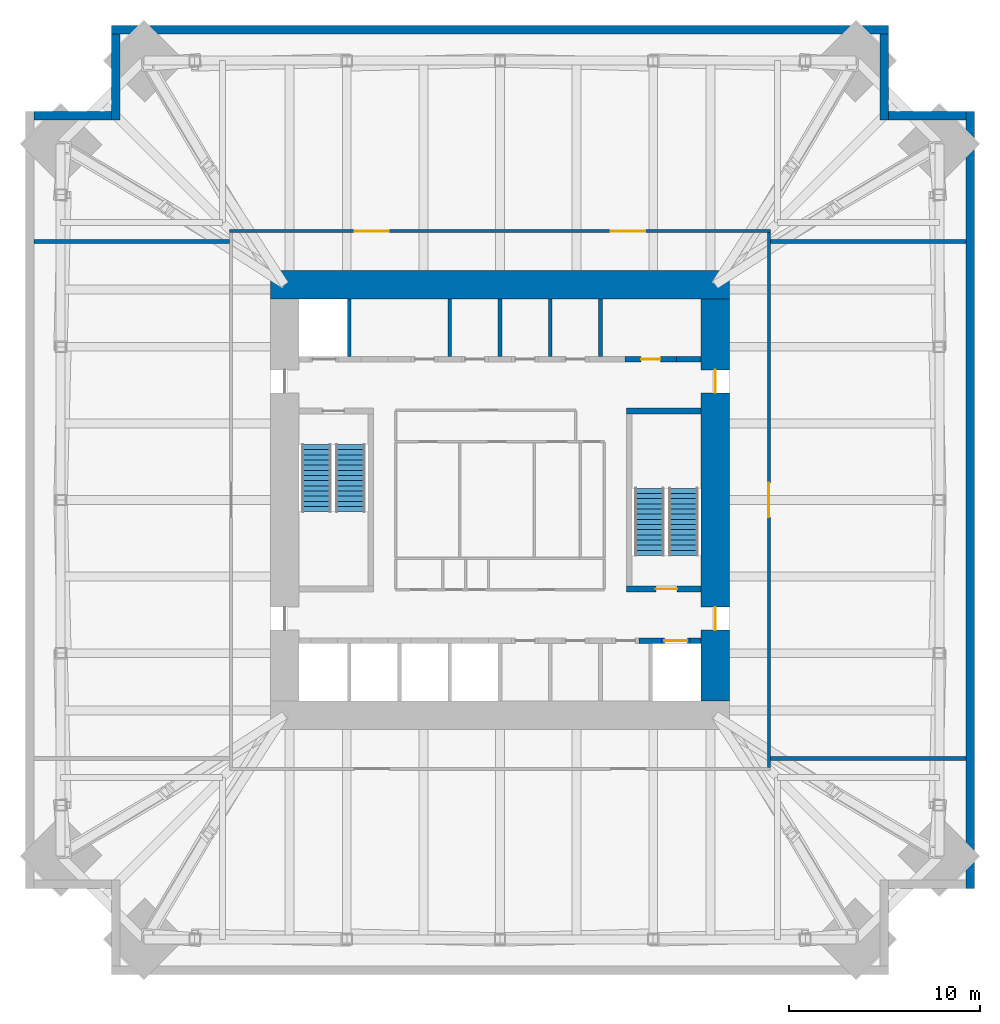
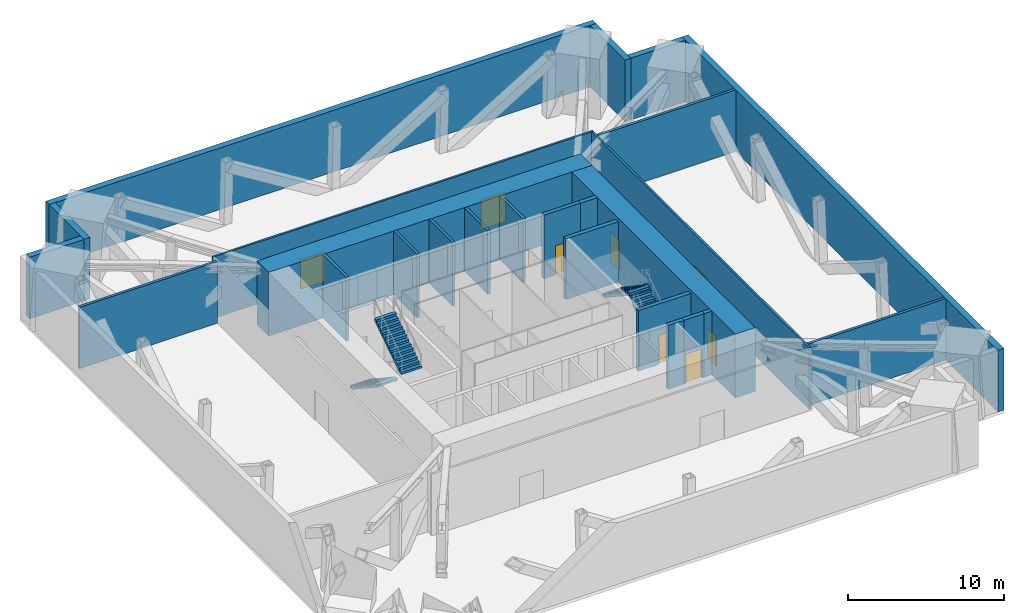
# One storey, part 5 of 6: 25 walls, 8 doors, 4 stair flights, 8 openings, 2 elements without a shape of their own.
"""IFC4 building model written with IfcOpenShell, lengths in metres."""

from ifc_helpers import new_model, si_unit, direction, frame, frame_2d, origin, place, context, subcontext, project, spatial, polyline, rectangle, outline, extrude, material, layer, layer_set, type_object, element, fill, aggregate, save


model = new_model("IFC4")

# Units and contexts
model_context = context("Model", 3, precision=1e-05, world=origin(), true_north=direction((0.0, 1.0)))
body_context = subcontext(model_context, "Body", "Model", "MODEL_VIEW")
ifc_project = project(units=[si_unit("LENGTHUNIT", "METRE"), si_unit("AREAUNIT", "SQUARE_METRE"), si_unit("VOLUMEUNIT", "CUBIC_METRE"), si_unit("PLANEANGLEUNIT", "RADIAN"), si_unit("MASSUNIT", "GRAM", prefix="KILO")], contexts=[model_context])

# Site, building, storey
site_placement = place(None, origin())
site = spatial("IfcSite", under=ifc_project, at=site_placement, CompositionType="ELEMENT")
building_placement = place(site_placement, origin())
building = spatial("IfcBuilding", under=site, at=building_placement, Name="Peilmerk Tower", CompositionType="ELEMENT")
storey_placement = place(building_placement, frame((0.0, 0.0, 196.800048828125)))
storey = spatial("IfcBuildingStorey", under=building, at=storey_placement, Name="L42", CompositionType="ELEMENT", Elevation=196.800048828125)

# Walls
ifc_material_1 = material(Name="Precast concrete C45/55, board-marked finish", Category="concrete")
ifc_layer_1 = layer(ifc_material_1, 0.449951171875)
ifc_layer_set_1 = layer_set([ifc_layer_1], Name="Precast concrete C45/55, board-marked finish")
wall_type_1 = type_object("IfcWallType", Name="EW1 450 precast concrete facade wall, board-marked", PredefinedType="SOLIDWALL", material=ifc_layer_set_1)
for number, where, z_axis, x_axis, name in (
    (1, (20.300048828125, 24.574951171875, 0.0), (0.0, 0.0, 1.0), (-1.0, 0.0, 0.0), "Facade wall N L42"),
    (2, (24.574951171875, -20.300048828125, 0.0), (0.0, 0.0, 1.0), (0.0, 1.0, 0.0), "Facade wall E L42"),
):
    element("IfcWall", number, at=place(storey_placement, frame(where, z_axis=z_axis, x_axis=x_axis)), inside=storey, type_object=wall_type_1, Name=name, PredefinedType="SOLIDWALL", context=body_context, shape_type="SweptSolid", body=[
        extrude(rectangle(XDim=40.60009765625, YDim=0.449951171875, at=frame_2d((20.300048828125, 0.0))), origin(), (0.0, 0.0, 1.0), 4.829833984375),
    ])
wall_1_placement = place(storey_placement, frame((20.074951171875, 19.85009765625, 0.0), z_axis=(0.0, 0.0, 1.0), x_axis=(0.0, 1.0, 0.0)))
element("IfcWall", 3, at=wall_1_placement, inside=storey, type_object=wall_type_1, Name="Facade wall NEA L42", PredefinedType="SOLIDWALL", context=body_context, shape_type="SweptSolid", body=[
    extrude(rectangle(XDim=4.5, YDim=0.449951171875, at=frame_2d((2.25, 0.0))), origin(), (0.0, 0.0, 1.0), 4.829833984375),
])
wall_2_placement = place(storey_placement, frame((20.300048828125, 20.074951171875, 0.0), z_axis=(0.0, 0.0, 1.0), x_axis=(1.0, 0.0, 0.0)))
element("IfcWall", 4, at=wall_2_placement, inside=storey, type_object=wall_type_1, Name="Facade wall NEB L42", PredefinedType="SOLIDWALL", context=body_context, shape_type="SweptSolid", body=[
    extrude(rectangle(XDim=4.050048828125, YDim=0.449951171875, at=frame_2d((2.02490234375, 0.0))), origin(), (0.0, 0.0, 1.0), 4.829833984375),
])
wall_3_placement = place(storey_placement, frame((-20.074951171875, 19.85009765625, 0.0), z_axis=(0.0, 0.0, 1.0), x_axis=(0.0, 1.0, 0.0)))
element("IfcWall", 5, at=wall_3_placement, inside=storey, type_object=wall_type_1, Name="Facade wall NWA L42", PredefinedType="SOLIDWALL", context=body_context, shape_type="SweptSolid", body=[
    extrude(rectangle(XDim=4.5, YDim=0.449951171875, at=frame_2d((2.25, 0.0))), origin(), (0.0, 0.0, 1.0), 4.829833984375),
])
wall_4_placement = place(storey_placement, frame((-20.300048828125, 20.074951171875, 0.0), z_axis=(0.0, 0.0, 1.0), x_axis=(-1.0, 0.0, 0.0)))
element("IfcWall", 6, at=wall_4_placement, inside=storey, type_object=wall_type_1, Name="Facade wall NWB L42", PredefinedType="SOLIDWALL", context=body_context, shape_type="SweptSolid", body=[
    extrude(rectangle(XDim=4.050048828125, YDim=0.449951171875, at=frame_2d((2.02490234375, 0.0))), origin(), (0.0, 0.0, 1.0), 4.829833984375),
])

# Wall, openings, doors
ifc_material_2 = material(Name="Calcium silicate block", Category="masonry")
ifc_layer_2 = layer(ifc_material_2, 0.14990234375)
ifc_layer_set_2 = layer_set([ifc_layer_2], Name="Calcium silicate block")
wall_type_2 = type_object("IfcWallType", Name="IW1 150 corridor partition, EI 60", PredefinedType="PARTITIONING", material=ifc_layer_set_2)
wall_5_placement = place(storey_placement, frame((-14.125, 14.050048828125, 0.0), z_axis=(0.0, 0.0, 1.0), x_axis=(1.0, 0.0, 0.0)))
wall_5 = element("IfcWall", 7, at=wall_5_placement, inside=storey, type_object=wall_type_2, Name="Corridor wall N L42", PredefinedType="PARTITIONING", context=body_context, shape_type="SweptSolid", body=[
    extrude(rectangle(XDim=28.25, YDim=0.14990234375, at=frame_2d((14.125, 0.0))), origin(), (0.0, 0.0, 1.0), 4.829833984375),
])
opening_1_placement = place(wall_5_placement, frame((6.52490234375, 0.0, 0.0)))
opening_1 = element("IfcOpeningElement", 8, at=opening_1_placement, cuts=wall_5, Name="Opening D2", PredefinedType="OPENING", context=body_context, shape_type="SweptSolid", body=[
    extrude(rectangle(XDim=1.800048828125, YDim=2.300048828125, at=frame_2d((0.89990234375, 1.14990234375))), frame((0.0, 0.0849609375, 0.0), z_axis=(0.0, -1.0, 0.0), x_axis=(1.0, 0.0, 0.0)), (0.0, 0.0, 1.0), 0.169921875),
])
opening_2_placement = place(wall_5_placement, frame((19.925048828125, 0.0, 0.0)))
opening_2 = element("IfcOpeningElement", 9, at=opening_2_placement, cuts=wall_5, Name="Opening D2", PredefinedType="OPENING", context=body_context, shape_type="SweptSolid", body=[
    extrude(rectangle(XDim=1.800048828125, YDim=2.300048828125, at=frame_2d((0.89990234375, 1.14990234375))), frame((0.0, 0.0849609375, 0.0), z_axis=(0.0, -1.0, 0.0), x_axis=(1.0, 0.0, 0.0)), (0.0, 0.0, 1.0), 0.169921875),
])
ifc_material_3 = material(Name="Steel door in steel frame", Category="steel")
door_type_1 = type_object("IfcDoorType", Name="D2 1800x2300 double door, EI2 60", OperationType="DOUBLE_DOOR_DOUBLE_SWING", PredefinedType="DOOR", material=ifc_material_3)
door_1_placement = place(opening_1_placement, origin())
door_1 = element("IfcDoor", 10, at=door_1_placement, inside=storey, type_object=door_type_1, Name="Door Plant room L42", OperationType="DOUBLE_DOOR_DOUBLE_SWING", OverallHeight=2.300048828125, OverallWidth=1.800048828125, PredefinedType="DOOR", context=body_context, shape_type="SweptSolid", body=[
    extrude(rectangle(XDim=1.800048828125, YDim=2.300048828125, at=frame_2d((0.89990234375, 1.14990234375))), frame((0.0, 0.02490234375, 0.0), z_axis=(0.0, -1.0, 0.0), x_axis=(1.0, 0.0, 0.0)), (0.0, 0.0, 1.0), 0.050048828125),
])
fill(opening_1, door_1)
door_2_placement = place(opening_2_placement, origin())
door_2 = element("IfcDoor", 11, at=door_2_placement, inside=storey, type_object=door_type_1, Name="Door Plant room L42", OperationType="DOUBLE_DOOR_DOUBLE_SWING", OverallHeight=2.300048828125, OverallWidth=1.800048828125, PredefinedType="DOOR", context=body_context, shape_type="SweptSolid", body=[
    extrude(rectangle(XDim=1.800048828125, YDim=2.300048828125, at=frame_2d((0.89990234375, 1.14990234375))), frame((0.0, 0.02490234375, 0.0), z_axis=(0.0, -1.0, 0.0), x_axis=(1.0, 0.0, 0.0)), (0.0, 0.0, 1.0), 0.050048828125),
])
fill(opening_2, door_2)

# Wall, opening, door
wall_6_placement = place(storey_placement, frame((14.050048828125, -13.97509765625, 0.0), z_axis=(0.0, 0.0, 1.0), x_axis=(0.0, 1.0, 0.0)))
wall_6 = element("IfcWall", 12, at=wall_6_placement, inside=storey, type_object=wall_type_2, Name="Corridor wall E L42", PredefinedType="PARTITIONING", context=body_context, shape_type="SweptSolid", body=[
    extrude(rectangle(XDim=27.9501953125, YDim=0.14990234375, at=frame_2d((13.97509765625, 0.0))), origin(), (0.0, 0.0, 1.0), 4.829833984375),
])
opening_3_placement = place(wall_6_placement, frame((13.074951171875, 0.0, 0.0)))
opening_3 = element("IfcOpeningElement", 13, at=opening_3_placement, cuts=wall_6, Name="Opening D2", PredefinedType="OPENING", context=body_context, shape_type="SweptSolid", body=[
    extrude(rectangle(XDim=1.800048828125, YDim=2.300048828125, at=frame_2d((0.89990234375, 1.14990234375))), frame((0.0, 0.0849609375, 0.0), z_axis=(0.0, -1.0, 0.0), x_axis=(1.0, 0.0, 0.0)), (0.0, 0.0, 1.0), 0.169921875),
])
door_3_placement = place(opening_3_placement, frame((1.800048828125, 0.0, 0.0), z_axis=(0.0, 0.0, 1.0), x_axis=(-1.0, 0.0, 0.0)))
door_3 = element("IfcDoor", 14, at=door_3_placement, inside=storey, type_object=door_type_1, Name="Door Plant room L42", OperationType="DOUBLE_DOOR_DOUBLE_SWING", OverallHeight=2.300048828125, OverallWidth=1.800048828125, PredefinedType="DOOR", context=body_context, shape_type="SweptSolid", body=[
    extrude(rectangle(XDim=1.800048828125, YDim=2.300048828125, at=frame_2d((0.89990234375, 1.14990234375))), frame((0.0, 0.02490234375, 0.0), z_axis=(0.0, -1.0, 0.0), x_axis=(1.0, 0.0, 0.0)), (0.0, 0.0, 1.0), 0.050048828125),
])
fill(opening_3, door_3)

# Walls
ifc_layer_3 = layer(ifc_material_2, 0.199951171875)
ifc_layer_set_3 = layer_set([ifc_layer_3], Name="Calcium silicate block")
wall_type_3 = type_object("IfcWallType", Name="IW2 200 room separating wall, EI 120", PredefinedType="PARTITIONING", material=ifc_layer_set_3)
for number, where, z_axis, x_axis, name in (
    (15, (14.125, 13.5, 0.0), (0.0, 0.0, 1.0), (1.0, 0.0, 0.0), "Room separating wall NE L42"),
    (16, (-24.35009765625, 13.5, 0.0), (0.0, 0.0, 1.0), (1.0, 0.0, 0.0), "Room separating wall NW L42"),
    (17, (24.35009765625, -13.5, 0.0), (0.0, 0.0, 1.0), (-1.0, 0.0, 0.0), "Room separating wall SE L42"),
):
    element("IfcWall", number, at=place(storey_placement, frame(where, z_axis=z_axis, x_axis=x_axis)), inside=storey, type_object=wall_type_3, Name=name, PredefinedType="PARTITIONING", context=body_context, shape_type="SweptSolid", body=[
        extrude(rectangle(XDim=10.22509765625, YDim=0.199951171875, at=frame_2d((5.112548828125, 0.0))), origin(), (0.0, 0.0, 1.0), 4.829833984375),
    ])
ifc_material_4 = material(Name="Concrete C35/45", Category="concrete")
ifc_layer_4 = layer(ifc_material_4, 0.300048828125)
ifc_layer_set_4 = layer_set([ifc_layer_4], Name="Concrete C35/45")
wall_type_4 = type_object("IfcWallType", Name="IW3 300 concrete stair enclosure wall, EI 120", PredefinedType="SOLIDWALL", material=ifc_layer_set_4)
wall_7_placement = place(storey_placement, frame((6.60009765625, 4.64990234375, 0.0), z_axis=(0.0, 0.0, 1.0), x_axis=(1.0, 0.0, 0.0)))
element("IfcWall", 18, at=wall_7_placement, inside=storey, type_object=wall_type_4, Name="Stair 2 enclosure L42", PredefinedType="SOLIDWALL", context=body_context, shape_type="SweptSolid", body=[
    extrude(rectangle(XDim=3.89990234375, YDim=0.300048828125, at=frame_2d((1.949951171875, 0.0))), origin(), (0.0, 0.0, 1.0), 4.75),
])

# Wall, opening, door
wall_8_placement = place(storey_placement, frame((10.5, -4.64990234375, 0.0), z_axis=(0.0, 0.0, 1.0), x_axis=(-1.0, 0.0, 0.0)))
wall_8 = element("IfcWall", 19, at=wall_8_placement, inside=storey, type_object=wall_type_4, Name="Stair 2 enclosure L42", PredefinedType="SOLIDWALL", context=body_context, shape_type="SweptSolid", body=[
    extrude(rectangle(XDim=3.89990234375, YDim=0.300048828125, at=frame_2d((1.949951171875, 0.0))), origin(), (0.0, 0.0, 1.0), 4.75),
])
opening_4_placement = place(wall_8_placement, frame((1.25, 0.0, 0.0)))
opening_4 = element("IfcOpeningElement", 20, at=opening_4_placement, cuts=wall_8, Name="Opening D4", PredefinedType="OPENING", context=body_context, shape_type="SweptSolid", body=[
    extrude(rectangle(XDim=1.10009765625, YDim=2.300048828125, at=frame_2d((0.550048828125, 1.14990234375))), frame((0.0, 0.159912109375, 0.0), z_axis=(0.0, -1.0, 0.0), x_axis=(1.0, 0.0, 0.0)), (0.0, 0.0, 1.0), 0.320068359375),
])
door_type_2 = type_object("IfcDoorType", Name="D4 1100x2300 stair door, EI2 60", OperationType="SINGLE_SWING_RIGHT", PredefinedType="DOOR", material=ifc_material_3)
door_4_placement = place(opening_4_placement, frame((1.10009765625, 0.0, 0.0), z_axis=(0.0, 0.0, 1.0), x_axis=(-1.0, 0.0, 0.0)))
door_4 = element("IfcDoor", 21, at=door_4_placement, inside=storey, type_object=door_type_2, Name="Stair 2 door L42", OperationType="SINGLE_SWING_RIGHT", OverallHeight=2.300048828125, OverallWidth=1.10009765625, PredefinedType="DOOR", context=body_context, shape_type="SweptSolid", body=[
    extrude(rectangle(XDim=1.10009765625, YDim=2.300048828125, at=frame_2d((0.550048828125, 1.14990234375))), frame((0.0, 0.02490234375, 0.0), z_axis=(0.0, -1.0, 0.0), x_axis=(1.0, 0.0, 0.0)), (0.0, 0.0, 1.0), 0.050048828125),
])
fill(opening_4, door_4)

# Walls
ifc_layer_5 = layer(ifc_material_2, 0.199951171875)
ifc_layer_set_5 = layer_set([ifc_layer_5], Name="Calcium silicate block")
wall_type_5 = type_object("IfcWallType", Name="SH1 200 shaft dividing wall, EI 120", PredefinedType="PARTITIONING", material=ifc_layer_set_5)
for number, where, z_axis, x_axis, name in (
    (22, (-7.875, 7.5, 0.0), (0.0, 0.0, 1.0), (0.0, 1.0, 0.0), "Shaft wall N FL1 L42"),
    (23, (-2.625, 7.5, 0.0), (0.0, 0.0, 1.0), (0.0, 1.0, 0.0), "Shaft wall N A2 L42"),
    (24, (0.0, 7.5, 0.0), (0.0, 0.0, 1.0), (0.0, 1.0, 0.0), "Shaft wall N A3 L42"),
    (25, (2.625, 7.5, 0.0), (0.0, 0.0, 1.0), (0.0, 1.0, 0.0), "Shaft wall N S1 L42"),
    (26, (5.25, 7.5, 0.0), (0.0, 0.0, 1.0), (0.0, 1.0, 0.0), "Shaft wall N S2 L42"),
):
    element("IfcWall", number, at=place(storey_placement, frame(where, z_axis=z_axis, x_axis=x_axis)), inside=storey, type_object=wall_type_5, Name=name, PredefinedType="PARTITIONING", context=body_context, shape_type="SweptSolid", body=[
        extrude(rectangle(XDim=3.0, YDim=0.199951171875, at=frame_2d((1.5, 0.0))), origin(), (0.0, 0.0, 1.0), 5.0),
    ])

# Wall, opening, door
ifc_layer_6 = layer(ifc_material_2, 0.300048828125)
ifc_layer_set_6 = layer_set([ifc_layer_6], Name="Calcium silicate block")
wall_type_6 = type_object("IfcWallType", Name="SH2 300 lift landing door panel, EI 120", PredefinedType="PARTITIONING", material=ifc_layer_set_6)
wall_9_placement = place(storey_placement, frame((6.52490234375, 7.35009765625, 0.0), z_axis=(0.0, 0.0, 1.0), x_axis=(1.0, 0.0, 0.0)))
wall_9 = element("IfcWall", 27, at=wall_9_placement, inside=storey, type_object=wall_type_6, Name="Lift door panel N GL1 L42", PredefinedType="PARTITIONING", context=body_context, shape_type="SweptSolid", body=[
    extrude(rectangle(XDim=2.7001953125, YDim=0.300048828125, at=frame_2d((1.35009765625, 0.0))), origin(), (0.0, 0.0, 1.0), 5.0),
])
opening_5_placement = place(wall_9_placement, frame((0.85009765625, 0.0, 0.0)))
opening_5 = element("IfcOpeningElement", 28, at=opening_5_placement, cuts=wall_9, Name="Opening D10", PredefinedType="OPENING", context=body_context, shape_type="SweptSolid", body=[
    extrude(rectangle(XDim=1.0, YDim=2.300048828125, at=frame_2d((0.5, 1.14990234375))), frame((0.0, 0.159912109375, 0.0), z_axis=(0.0, -1.0, 0.0), x_axis=(1.0, 0.0, 0.0)), (0.0, 0.0, 1.0), 0.320068359375),
])
door_type_3 = type_object("IfcDoorType", Name="D10 1000x2300 core room door, EI2 60", OperationType="SINGLE_SWING_RIGHT", PredefinedType="DOOR", material=ifc_material_3)
door_5_placement = place(opening_5_placement, origin())
door_5 = element("IfcDoor", 29, at=door_5_placement, inside=storey, type_object=door_type_3, Name="Door Pressurisation plant room L42", OperationType="SINGLE_SWING_RIGHT", OverallHeight=2.300048828125, OverallWidth=1.0, PredefinedType="DOOR", context=body_context, shape_type="SweptSolid", body=[
    extrude(rectangle(XDim=1.0, YDim=2.300048828125, at=frame_2d((0.5, 1.14990234375))), frame((0.0, 0.02490234375, 0.0), z_axis=(0.0, -1.0, 0.0), x_axis=(1.0, 0.0, 0.0)), (0.0, 0.0, 1.0), 0.050048828125),
])
fill(opening_5, door_5)

wall_10_placement = place(storey_placement, frame((8.4375, -7.35009765625, 0.0), z_axis=(0.0, 0.0, 1.0), x_axis=(1.0, 0.0, 0.0)))
wall_10 = element("IfcWall", 30, at=wall_10_placement, inside=storey, type_object=wall_type_6, Name="Lift door panel S FL2 L42", PredefinedType="PARTITIONING", context=body_context, shape_type="SweptSolid", body=[
    extrude(rectangle(XDim=1.5, YDim=0.300048828125, at=frame_2d((0.75, 0.0))), origin(), (0.0, 0.0, 1.0), 5.0),
])
opening_6_placement = place(wall_10_placement, frame((0.14990234375, 0.0, 0.0)))
opening_6 = element("IfcOpeningElement", 31, at=opening_6_placement, cuts=wall_10, Name="Opening LD2", PredefinedType="OPENING", context=body_context, shape_type="SweptSolid", body=[
    extrude(rectangle(XDim=1.199951171875, YDim=2.300048828125, at=frame_2d((0.60009765625, 1.14990234375))), frame((0.0, 0.159912109375, 0.0), z_axis=(0.0, -1.0, 0.0), x_axis=(1.0, 0.0, 0.0)), (0.0, 0.0, 1.0), 0.320068359375),
])
ifc_material_5 = material(Name="Stainless steel landing door", Category="steel")
door_type_4 = type_object("IfcDoorType", Name="LD2 1200x2300 lift landing door, sliding, EI2 60", OperationType="SLIDING_TO_LEFT", PredefinedType="DOOR", material=ifc_material_5)
door_6_placement = place(opening_6_placement, origin())
door_6 = element("IfcDoor", 32, at=door_6_placement, inside=storey, type_object=door_type_4, Name="Lift landing door FL2 L42", OperationType="SLIDING_TO_LEFT", OverallHeight=2.300048828125, OverallWidth=1.199951171875, PredefinedType="DOOR", context=body_context, shape_type="SweptSolid", body=[
    extrude(rectangle(XDim=1.199951171875, YDim=2.300048828125, at=frame_2d((0.60009765625, 1.14990234375))), frame((0.0, 0.02490234375, 0.0), z_axis=(0.0, -1.0, 0.0), x_axis=(1.0, 0.0, 0.0)), (0.0, 0.0, 1.0), 0.050048828125),
])
fill(opening_6, door_6)

# Wall
ifc_material_6 = material(Name="Concrete C55/67", Category="concrete")
ifc_layer_7 = layer(ifc_material_6, 1.5)
ifc_layer_set_7 = layer_set([ifc_layer_7], Name="Concrete C55/67")
wall_type_7 = type_object("IfcWallType", Name="SW1 1500 core wall", PredefinedType="SHEAR", material=ifc_layer_set_7)
wall_11_placement = place(storey_placement, frame((-12.0, 11.25, 0.0), z_axis=(0.0, 0.0, 1.0), x_axis=(1.0, 0.0, 0.0)))
element("IfcWall", 33, at=wall_11_placement, inside=storey, type_object=wall_type_7, Name="Core wall N L42", PredefinedType="SHEAR", context=body_context, shape_type="SweptSolid", body=[
    extrude(rectangle(XDim=24.0, YDim=1.5, at=frame_2d((12.0, 0.0))), origin(), (0.0, 0.0, 1.0), 5.0),
])

# Wall, openings, doors
wall_12_placement = place(storey_placement, frame((11.25, 10.5, 0.0), z_axis=(0.0, 0.0, 1.0), x_axis=(0.0, -1.0, 0.0)))
wall_12 = element("IfcWall", 34, at=wall_12_placement, inside=storey, type_object=wall_type_7, Name="Core wall E L42", PredefinedType="SHEAR", context=body_context, shape_type="SweptSolid", body=[
    extrude(rectangle(XDim=21.0, YDim=1.5, at=frame_2d((10.5, 0.0))), origin(), (0.0, 0.0, 1.0), 5.0),
])
opening_7_placement = place(wall_12_placement, frame((3.699951171875, 0.0, 0.0)))
opening_7 = element("IfcOpeningElement", 35, at=opening_7_placement, cuts=wall_12, Name="Opening D3", PredefinedType="OPENING", context=body_context, shape_type="SweptSolid", body=[
    extrude(rectangle(XDim=1.199951171875, YDim=2.300048828125, at=frame_2d((0.60009765625, 1.14990234375))), frame((0.0, 0.760009765625, 0.0), z_axis=(0.0, -1.0, 0.0), x_axis=(1.0, 0.0, 0.0)), (0.0, 0.0, 1.0), 1.52001953125),
])
opening_8_placement = place(wall_12_placement, frame((16.10009765625, 0.0, 0.0)))
opening_8 = element("IfcOpeningElement", 36, at=opening_8_placement, cuts=wall_12, Name="Opening D3", PredefinedType="OPENING", context=body_context, shape_type="SweptSolid", body=[
    extrude(rectangle(XDim=1.199951171875, YDim=2.300048828125, at=frame_2d((0.60009765625, 1.14990234375))), frame((0.0, 0.760009765625, 0.0), z_axis=(0.0, -1.0, 0.0), x_axis=(1.0, 0.0, 0.0)), (0.0, 0.0, 1.0), 1.52001953125),
])
door_type_5 = type_object("IfcDoorType", Name="D3 1200x2300 core door, EI2 60", OperationType="SINGLE_SWING_LEFT", PredefinedType="DOOR", material=ifc_material_3)
door_7_placement = place(opening_7_placement, frame((1.199951171875, 0.0, 0.0), z_axis=(0.0, 0.0, 1.0), x_axis=(-1.0, 0.0, 0.0)))
door_7 = element("IfcDoor", 37, at=door_7_placement, inside=storey, type_object=door_type_5, Name="Core door L42", OperationType="SINGLE_SWING_LEFT", OverallHeight=2.300048828125, OverallWidth=1.199951171875, PredefinedType="DOOR", context=body_context, shape_type="SweptSolid", body=[
    extrude(rectangle(XDim=1.199951171875, YDim=2.300048828125, at=frame_2d((0.60009765625, 1.14990234375))), frame((0.0, 0.02490234375, 0.0), z_axis=(0.0, -1.0, 0.0), x_axis=(1.0, 0.0, 0.0)), (0.0, 0.0, 1.0), 0.050048828125),
])
fill(opening_7, door_7)
door_8_placement = place(opening_8_placement, frame((1.199951171875, 0.0, 0.0), z_axis=(0.0, 0.0, 1.0), x_axis=(-1.0, 0.0, 0.0)))
door_8 = element("IfcDoor", 38, at=door_8_placement, inside=storey, type_object=door_type_5, Name="Core door L42", OperationType="SINGLE_SWING_LEFT", OverallHeight=2.300048828125, OverallWidth=1.199951171875, PredefinedType="DOOR", context=body_context, shape_type="SweptSolid", body=[
    extrude(rectangle(XDim=1.199951171875, YDim=2.300048828125, at=frame_2d((0.60009765625, 1.14990234375))), frame((0.0, 0.02490234375, 0.0), z_axis=(0.0, -1.0, 0.0), x_axis=(1.0, 0.0, 0.0)), (0.0, 0.0, 1.0), 0.050048828125),
])
fill(opening_8, door_8)

# Walls
ifc_layer_8 = layer(ifc_material_6, 0.300048828125)
ifc_layer_set_8 = layer_set([ifc_layer_8], Name="Concrete C55/67")
wall_type_8 = type_object("IfcWallType", Name="SW2 300 lift bank pier", PredefinedType="SHEAR", material=ifc_layer_set_8)
wall_13_placement = place(storey_placement, frame((9.22509765625, 7.35009765625, 0.0), z_axis=(0.0, 0.0, 1.0), x_axis=(1.0, 0.0, 0.0)))
element("IfcWall", 39, at=wall_13_placement, inside=storey, type_object=wall_type_8, Name="Lift bank pier N L42", PredefinedType="SHEAR", context=body_context, shape_type="SweptSolid", body=[
    extrude(rectangle(XDim=1.27490234375, YDim=0.300048828125, at=frame_2d((0.637451171875, 0.0))), origin(), (0.0, 0.0, 1.0), 5.0),
])
wall_14_placement = place(storey_placement, frame((7.262451171875, -7.35009765625, 0.0), z_axis=(0.0, 0.0, 1.0), x_axis=(1.0, 0.0, 0.0)))
element("IfcWall", 40, at=wall_14_placement, inside=storey, type_object=wall_type_8, Name="Lift bank pier S L42", PredefinedType="SHEAR", context=body_context, shape_type="SweptSolid", body=[
    extrude(rectangle(XDim=1.175048828125, YDim=0.300048828125, at=frame_2d((0.58740234375, 0.0))), origin(), (0.0, 0.0, 1.0), 5.0),
])
wall_15_placement = place(storey_placement, frame((9.9375, -7.35009765625, 0.0), z_axis=(0.0, 0.0, 1.0), x_axis=(1.0, 0.0, 0.0)))
element("IfcWall", 41, at=wall_15_placement, inside=storey, type_object=wall_type_8, Name="Lift bank pier S L42", PredefinedType="SHEAR", context=body_context, shape_type="SweptSolid", body=[
    extrude(rectangle(XDim=0.5625, YDim=0.300048828125, at=frame_2d((0.28125, 0.0))), origin(), (0.0, 0.0, 1.0), 5.0),
])

# Stair, stair flights
ifc_material_7 = material(Name="Precast concrete C45/55", Category="concrete")
stair_type_1 = type_object("IfcStairType", Name="ST1 28 risers of 178.6", PredefinedType="HALF_TURN_STAIR", material=ifc_material_7)
stair_1_placement = place(storey_placement, origin())
stair_1 = element("IfcStair", 42, at=stair_1_placement, inside=storey, type_object=stair_type_1, Name="Stair 1 L42 to L43", PredefinedType="HALF_TURN_STAIR")
stair_flight_type = type_object("IfcStairFlightType", Name="SF14 flight, 14 risers of 178.6", PredefinedType="STRAIGHT", material=ifc_material_7)
stair_flight_1_placement = place(storey_placement, frame((-9.60009765625, 2.89990234375, 0.0), z_axis=(0.0, 0.0, 1.0), x_axis=(0.0, -1.0, 0.0)))
stair_flight_1 = element("IfcStairFlight", 43, at=stair_flight_1_placement, type_object=stair_flight_type, Name="ST1 flight 1", NumberOfRisers=14, NumberOfTreads=13, PredefinedType="STRAIGHT", RiserHeight=0.178571429, TreadLength=0.27, context=body_context, shape_type="SweptSolid", body=[
    extrude(outline(polyline([(0.0, 0.0), (0.0, 0.178466796875), (0.27001953125, 0.178466796875), (0.27001953125, 0.357177734375), (0.5400390625, 0.357177734375), (0.5400390625, 0.53564453125), (0.81005859375, 0.53564453125), (0.81005859375, 0.71435546875), (1.080078125, 0.71435546875), (1.080078125, 0.892822265625), (1.35009765625, 0.892822265625), (1.35009765625, 1.071533203125), (1.6201171875, 1.071533203125), (1.6201171875, 1.25), (1.889892578125, 1.25), (1.889892578125, 1.428466796875), (2.159912109375, 1.428466796875), (2.159912109375, 1.607177734375), (2.429931640625, 1.607177734375), (2.429931640625, 1.78564453125), (2.699951171875, 1.78564453125), (2.699951171875, 1.96435546875), (2.969970703125, 1.96435546875), (2.969970703125, 2.142822265625), (3.239990234375, 2.142822265625), (3.239990234375, 2.321533203125), (3.510009765625, 2.321533203125), (3.510009765625, 2.5), (3.510009765625, 2.1416015625), (0.271728515625, 0.0), (0.0, 0.0)])), frame((0.0, 0.75, 0.0), z_axis=(0.0, -1.0, 0.0), x_axis=(1.0, 0.0, 0.0)), (0.0, 0.0, 1.0), 1.5),
])
stair_flight_2_placement = place(storey_placement, frame((-7.800048828125, -0.610107421875, 2.5), z_axis=(0.0, 0.0, 1.0), x_axis=(0.0, 1.0, 0.0)))
stair_flight_2 = element("IfcStairFlight", 44, at=stair_flight_2_placement, type_object=stair_flight_type, Name="ST1 flight 2", NumberOfRisers=14, NumberOfTreads=13, PredefinedType="STRAIGHT", RiserHeight=0.178571429, TreadLength=0.27, context=body_context, shape_type="SweptSolid", body=[
    extrude(outline(polyline([(0.0, 0.0), (0.0, 0.178466796875), (0.27001953125, 0.178466796875), (0.27001953125, 0.357177734375), (0.5400390625, 0.357177734375), (0.5400390625, 0.53564453125), (0.81005859375, 0.53564453125), (0.81005859375, 0.71435546875), (1.080078125, 0.71435546875), (1.080078125, 0.892822265625), (1.35009765625, 0.892822265625), (1.35009765625, 1.071533203125), (1.6201171875, 1.071533203125), (1.6201171875, 1.25), (1.889892578125, 1.25), (1.889892578125, 1.428466796875), (2.159912109375, 1.428466796875), (2.159912109375, 1.607177734375), (2.429931640625, 1.607177734375), (2.429931640625, 1.78564453125), (2.699951171875, 1.78564453125), (2.699951171875, 1.96435546875), (2.969970703125, 1.96435546875), (2.969970703125, 2.142822265625), (3.239990234375, 2.142822265625), (3.239990234375, 2.321533203125), (3.510009765625, 2.321533203125), (3.510009765625, 2.5), (3.510009765625, 2.1416015625), (0.271728515625, 0.0), (0.0, 0.0)])), frame((0.0, 0.75, 0.0), z_axis=(0.0, -1.0, 0.0), x_axis=(1.0, 0.0, 0.0)), (0.0, 0.0, 1.0), 1.5),
])
aggregate(stair_1, [stair_flight_1, stair_flight_2])

stair_type_2 = type_object("IfcStairType", Name="ST2 28 risers of 178.6", PredefinedType="HALF_TURN_STAIR", material=ifc_material_7)
stair_2_placement = place(storey_placement, origin())
stair_2 = element("IfcStair", 45, at=stair_2_placement, inside=storey, type_object=stair_type_2, Name="Stair 2 L42 to L43", PredefinedType="HALF_TURN_STAIR")
stair_flight_3_placement = place(storey_placement, frame((9.60009765625, -2.89990234375, 0.0), z_axis=(0.0, 0.0, 1.0), x_axis=(0.0, 1.0, 0.0)))
stair_flight_3 = element("IfcStairFlight", 46, at=stair_flight_3_placement, type_object=stair_flight_type, Name="ST2 flight 1", NumberOfRisers=14, NumberOfTreads=13, PredefinedType="STRAIGHT", RiserHeight=0.178571429, TreadLength=0.27, context=body_context, shape_type="SweptSolid", body=[
    extrude(outline(polyline([(0.0, 0.0), (0.0, 0.178466796875), (0.27001953125, 0.178466796875), (0.27001953125, 0.357177734375), (0.5400390625, 0.357177734375), (0.5400390625, 0.53564453125), (0.81005859375, 0.53564453125), (0.81005859375, 0.71435546875), (1.080078125, 0.71435546875), (1.080078125, 0.892822265625), (1.35009765625, 0.892822265625), (1.35009765625, 1.071533203125), (1.6201171875, 1.071533203125), (1.6201171875, 1.25), (1.889892578125, 1.25), (1.889892578125, 1.428466796875), (2.159912109375, 1.428466796875), (2.159912109375, 1.607177734375), (2.429931640625, 1.607177734375), (2.429931640625, 1.78564453125), (2.699951171875, 1.78564453125), (2.699951171875, 1.96435546875), (2.969970703125, 1.96435546875), (2.969970703125, 2.142822265625), (3.239990234375, 2.142822265625), (3.239990234375, 2.321533203125), (3.510009765625, 2.321533203125), (3.510009765625, 2.5), (3.510009765625, 2.1416015625), (0.271728515625, 0.0), (0.0, 0.0)])), frame((0.0, 0.75, 0.0), z_axis=(0.0, -1.0, 0.0), x_axis=(1.0, 0.0, 0.0)), (0.0, 0.0, 1.0), 1.5),
])
stair_flight_4_placement = place(storey_placement, frame((7.800048828125, 0.610107421875, 2.5), z_axis=(0.0, 0.0, 1.0), x_axis=(0.0, -1.0, 0.0)))
stair_flight_4 = element("IfcStairFlight", 47, at=stair_flight_4_placement, type_object=stair_flight_type, Name="ST2 flight 2", NumberOfRisers=14, NumberOfTreads=13, PredefinedType="STRAIGHT", RiserHeight=0.178571429, TreadLength=0.27, context=body_context, shape_type="SweptSolid", body=[
    extrude(outline(polyline([(0.0, 0.0), (0.0, 0.178466796875), (0.27001953125, 0.178466796875), (0.27001953125, 0.357177734375), (0.5400390625, 0.357177734375), (0.5400390625, 0.53564453125), (0.81005859375, 0.53564453125), (0.81005859375, 0.71435546875), (1.080078125, 0.71435546875), (1.080078125, 0.892822265625), (1.35009765625, 0.892822265625), (1.35009765625, 1.071533203125), (1.6201171875, 1.071533203125), (1.6201171875, 1.25), (1.889892578125, 1.25), (1.889892578125, 1.428466796875), (2.159912109375, 1.428466796875), (2.159912109375, 1.607177734375), (2.429931640625, 1.607177734375), (2.429931640625, 1.78564453125), (2.699951171875, 1.78564453125), (2.699951171875, 1.96435546875), (2.969970703125, 1.96435546875), (2.969970703125, 2.142822265625), (3.239990234375, 2.142822265625), (3.239990234375, 2.321533203125), (3.510009765625, 2.321533203125), (3.510009765625, 2.5), (3.510009765625, 2.1416015625), (0.271728515625, 0.0), (0.0, 0.0)])), frame((0.0, 0.75, 0.0), z_axis=(0.0, -1.0, 0.0), x_axis=(1.0, 0.0, 0.0)), (0.0, 0.0, 1.0), 1.5),
])
aggregate(stair_2, [stair_flight_3, stair_flight_4])

save(model, "model.ifc")
